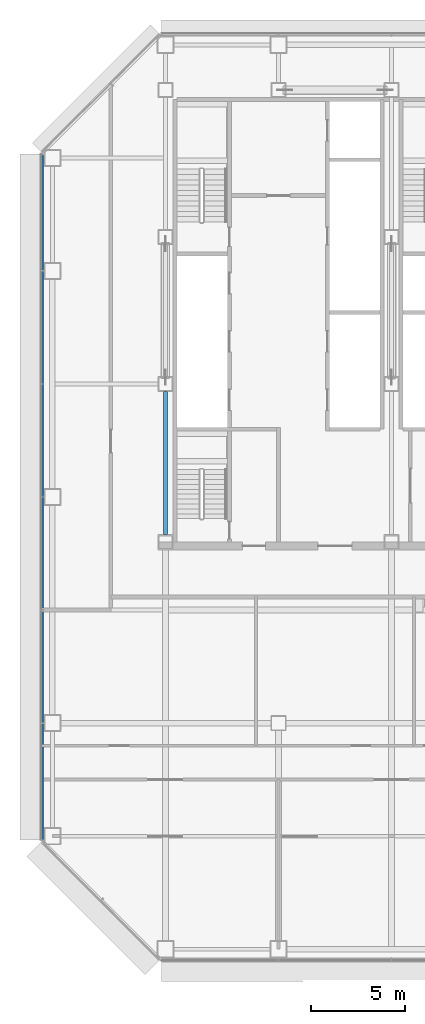
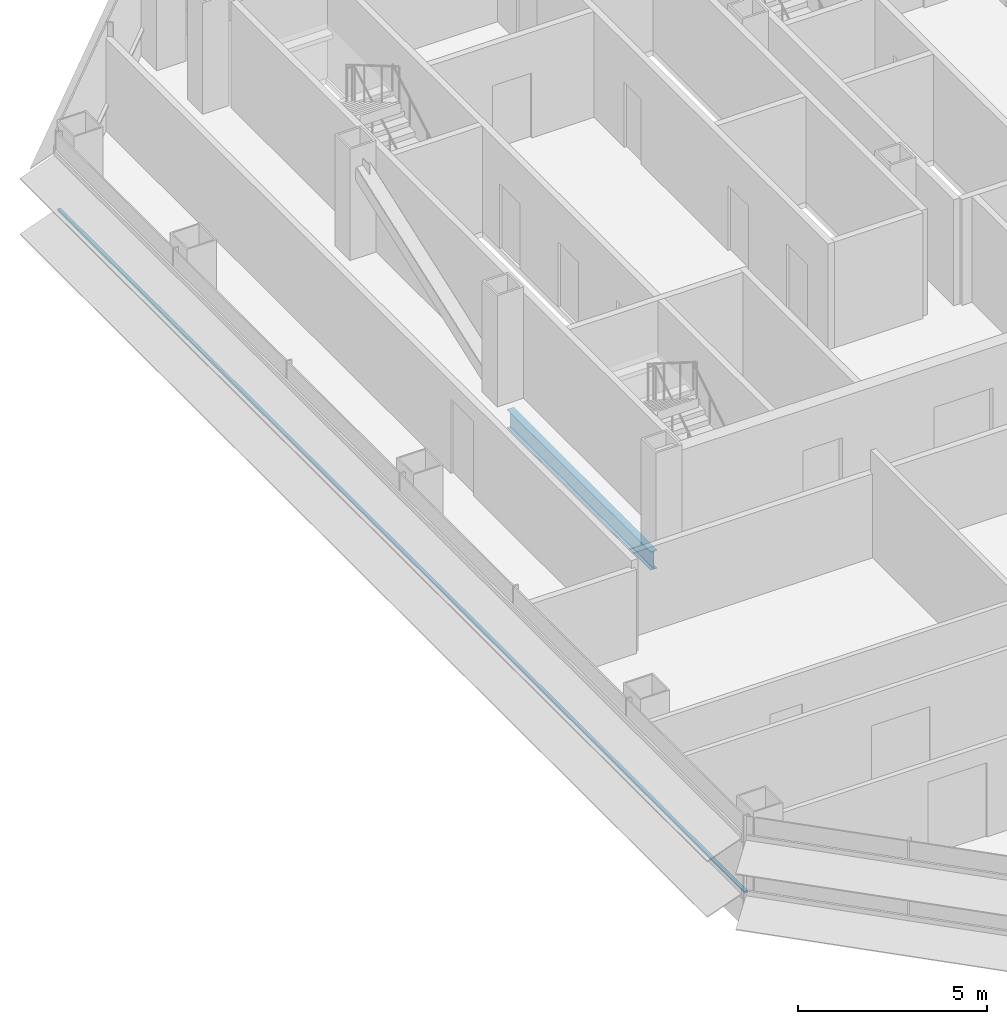
# One storey, part 5 of 26: 1 beam, 1 member, 1 element without a shape of its own.
"""IFC4 building model written with IfcOpenShell, lengths in metres."""

from ifc_helpers import new_model, si_unit, direction, frame, origin, origin_2d, place, context, subcontext, project, spatial, rectangle, i_section, extrude, material, material_profile, profile_set, type_object, element, aggregate, save


model = new_model("IFC4")

# Units and contexts
model_context = context("Model", 3, precision=1e-05, world=origin(), true_north=direction((0.0, 1.0)))
body_context = subcontext(model_context, "Body", "Model", "MODEL_VIEW")
ifc_project = project(units=[si_unit("LENGTHUNIT", "METRE"), si_unit("AREAUNIT", "SQUARE_METRE"), si_unit("VOLUMEUNIT", "CUBIC_METRE"), si_unit("PLANEANGLEUNIT", "RADIAN"), si_unit("MASSUNIT", "GRAM", prefix="KILO")], contexts=[model_context])

# Site, building, storey
site_placement = place(None, origin())
site = spatial("IfcSite", under=ifc_project, at=site_placement, CompositionType="ELEMENT")
building_placement = place(site_placement, origin())
building = spatial("IfcBuilding", under=site, at=building_placement, Name="Sorahane Residences", CompositionType="ELEMENT")
storey_placement = place(building_placement, frame((0.0, 0.0, 71.39990234375)))
storey = spatial("IfcBuildingStorey", under=building, at=storey_placement, Name="L14", CompositionType="ELEMENT", Elevation=71.39990234375)

# Curtain wall, member
ifc_material_1 = material(Name="Dark low-e glass and black anodised aluminium", Category="aluminium")
curtain_wall_type = type_object("IfcCurtainWallType", Name="Curtain wall CW-1 Typical unitised wall", PredefinedType="NOTDEFINED", material=ifc_material_1)
curtain_wall_placement = place(storey_placement, origin())
curtain_wall = element("IfcCurtainWall", 1, at=curtain_wall_placement, inside=storey, type_object=curtain_wall_type, Name="CW-1 curtain wall L14 W1", PredefinedType="NOTDEFINED")
ifc_material_2 = material(Name="Black anodised aluminium", Category="aluminium")
ifc_material_profile_1 = material_profile(ifc_material_2, rectangle(XDim=0.10009765625, YDim=0.06005859375, at=origin_2d()), Name="Curtain wall transom CW-1 black anodised aluminium 60x100")
ifc_profile_set_1 = profile_set([ifc_material_profile_1], Name="Black anodised aluminium")
member_type = type_object("IfcMemberType", Name="Curtain wall transom CW-1 black anodised aluminium 60x100", PredefinedType="USERDEFINED", material=ifc_profile_set_1)
member_placement = place(storey_placement, frame((-0.530029296875, 42.198486328125, 0.900146484375), z_axis=(0.0, -1.0, 0.0), x_axis=(1.0, 0.0, 0.0)))
member = element("IfcMember", 2, at=member_placement, type_object=member_type, Name="CW-1 transom L14 W1", ObjectType="TRANSOM", PredefinedType="USERDEFINED", context=body_context, shape_type="SweptSolid", body=[
    extrude(rectangle(XDim=0.10009765625, YDim=0.06005859375, at=origin_2d()), origin(), (0.0, 0.0, 1.0), 36.39697265625),
])
aggregate(curtain_wall, [member])

# Beam
ifc_material_3 = material(Name="Steel Q355B", Category="steel")
ifc_material_profile_2 = material_profile(ifc_material_3, i_section(OverallWidth=0.199951171875, OverallDepth=0.60009765625, WebThickness=0.010986328125, FlangeThickness=0.01708984375, FilletRadius=0.02392578125, at=origin_2d()), Name="HN 600x200x11x17")
ifc_profile_set_2 = profile_set([ifc_material_profile_2], Name="Steel Q355B")
beam_type = type_object("IfcBeamType", Name="Steel floor beam HN 600x200x11x17 Q355B", PredefinedType="BEAM", material=ifc_profile_set_2)
beam_placement = place(storey_placement, frame((6.0, 22.0, -0.47998046875), z_axis=(0.0, 1.0, 0.0), x_axis=(-1.0, 0.0, 0.0)))
element("IfcBeam", 3, at=beam_placement, inside=storey, type_object=beam_type, Name="Beam L14 023", PredefinedType="BEAM", context=body_context, shape_type="SweptSolid", body=[
    extrude(i_section(OverallWidth=0.199951171875, OverallDepth=0.60009765625, WebThickness=0.010986328125, FlangeThickness=0.01708984375, FilletRadius=0.02392578125, at=origin_2d()), origin(), (0.0, 0.0, 1.0), 7.60009765625),
])

save(model, "model.ifc")
